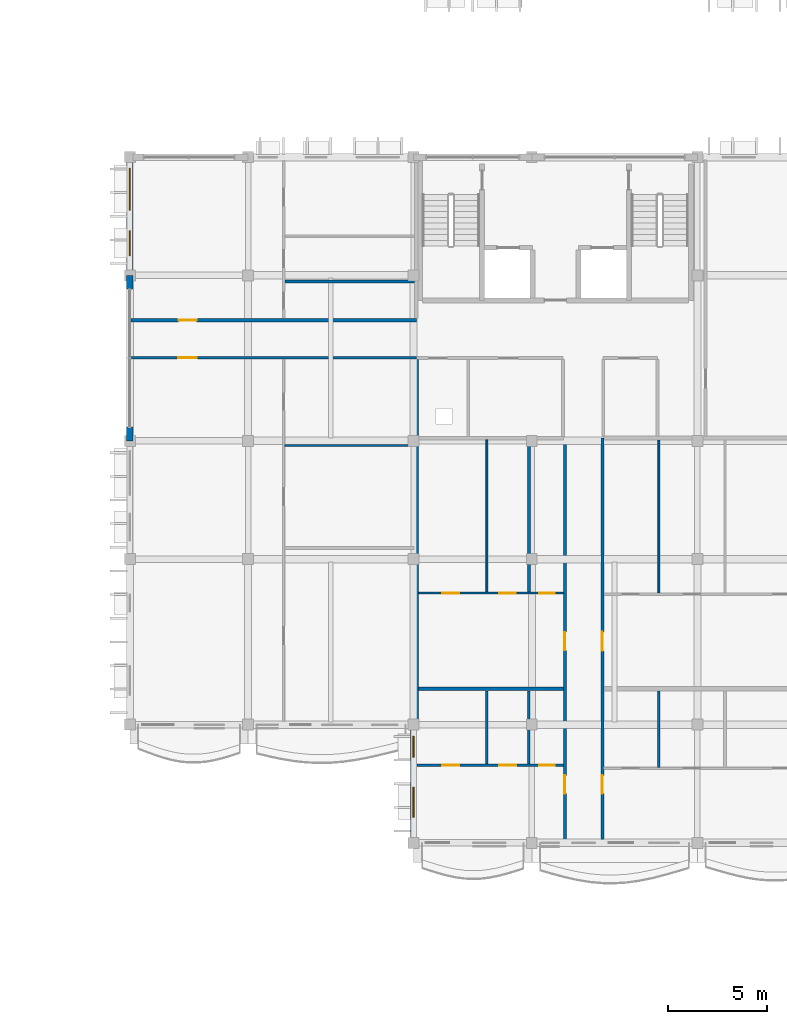
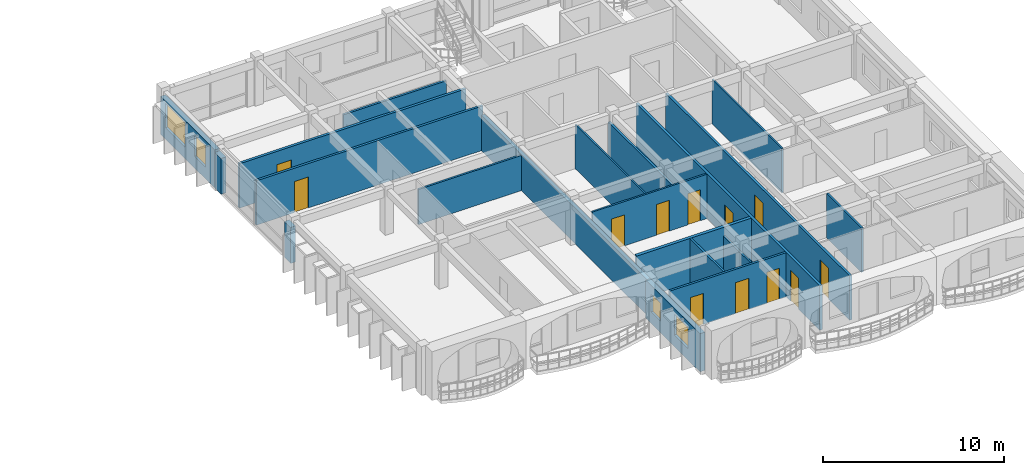
# One storey, part 42 of 79: 20 walls, 12 doors, 4 windows, 16 openings.
"""IFC4 building model written with IfcOpenShell, lengths in metres."""

from ifc_helpers import new_model, si_unit, direction, frame, frame_2d, origin, place, context, subcontext, project, spatial, rectangle, extrude, material, layer, layer_set, type_object, element, fill, save


model = new_model("IFC4")

# Units and contexts
model_context = context("Model", 3, precision=1e-05, world=origin(), true_north=direction((0.0, 1.0)))
body_context = subcontext(model_context, "Body", "Model", "MODEL_VIEW")
ifc_project = project(units=[si_unit("LENGTHUNIT", "METRE"), si_unit("AREAUNIT", "SQUARE_METRE"), si_unit("VOLUMEUNIT", "CUBIC_METRE"), si_unit("PLANEANGLEUNIT", "RADIAN"), si_unit("MASSUNIT", "GRAM", prefix="KILO"), si_unit("THERMODYNAMICTEMPERATUREUNIT", "KELVIN")], contexts=[model_context])

# Site, building, storey
site_placement = place(None, origin())
site = spatial("IfcSite", under=ifc_project, at=site_placement, CompositionType="ELEMENT")
building_placement = place(site_placement, origin())
building = spatial("IfcBuilding", under=site, at=building_placement, Name="Thalorik Housing Commons", CompositionType="ELEMENT")
storey_placement = place(building_placement, frame((0.0, 0.0, 11.39990234375)))
storey = spatial("IfcBuildingStorey", under=building, at=storey_placement, Name="L03", CompositionType="ELEMENT", Elevation=11.39990234375)

# Wall, openings, doors
ifc_material_1 = material(Name="Masonry fire-rated corridor wall", Category="masonry")
ifc_layer_1 = layer(ifc_material_1, 0.14990234375, Name="Masonry fire-rated corridor wall", Category="masonry")
ifc_layer_set_1 = layer_set([ifc_layer_1], Name="Masonry fire-rated corridor wall")
wall_type_1 = type_object("IfcWallType", Name="ARC-WAL-CORR-150", PredefinedType="PARTITIONING", material=ifc_layer_set_1)
wall_1_placement = place(storey_placement, frame((161.97998046875, 37.362060546875, 0.0), z_axis=(0.0, 0.0, 1.0), x_axis=(0.0, 1.0, 0.0)))
wall_1 = element("IfcWall", 1, at=wall_1_placement, inside=storey, type_object=wall_type_1, Name="L03 Block D E Corridor Wall 2", PredefinedType="PARTITIONING", context=body_context, shape_type="SweptSolid", body=[
    extrude(rectangle(XDim=20.3779296875, YDim=0.14990234375, at=frame_2d((10.18896484375, 0.0))), origin(), (0.0, 0.0, 1.0), 3.0),
])
opening_1_placement = place(wall_1_placement, frame((2.342041015625, 0.0, 0.0)))
opening_1 = element("IfcOpeningElement", 2, at=opening_1_placement, cuts=wall_1, Name="Opening ID-2039", PredefinedType="OPENING", context=body_context, shape_type="SweptSolid", body=[
    extrude(rectangle(XDim=0.919921875, YDim=2.10009765625, at=frame_2d((0.4599609375, 1.050048828125))), frame((0.0, 0.0849609375, 0.0), z_axis=(0.0, -1.0, 0.0), x_axis=(1.0, 0.0, 0.0)), (0.0, 0.0, 1.0), 0.169921875),
])
opening_2_placement = place(wall_1_placement, frame((9.580810546875, 0.0, 0.0)))
opening_2 = element("IfcOpeningElement", 3, at=opening_2_placement, cuts=wall_1, Name="Opening ID-2040", PredefinedType="OPENING", context=body_context, shape_type="SweptSolid", body=[
    extrude(rectangle(XDim=0.9599609375, YDim=2.1201171875, at=frame_2d((0.47998046875, 1.06005859375))), frame((0.0, 0.0849609375, 0.0), z_axis=(0.0, -1.0, 0.0), x_axis=(1.0, 0.0, 0.0)), (0.0, 0.0, 1.0), 0.169921875),
])
ifc_material_2 = material(Name="Solid core hardwood timber", Category="wood")
door_type_1 = type_object("IfcDoorType", Name="ARC-DR-FD30-920", OperationType="NOTDEFINED", PredefinedType="DOOR", material=ifc_material_2)
door_1_placement = place(opening_1_placement, origin())
door_1 = element("IfcDoor", 4, at=door_1_placement, inside=storey, type_object=door_type_1, Name="L03 Flat DE-1B Entrance Door", OperationType="SINGLE_SWING_RIGHT", OverallHeight=2.10009765625, OverallWidth=0.919921875, PredefinedType="DOOR", context=body_context, shape_type="SweptSolid", body=[
    extrude(rectangle(XDim=0.919921875, YDim=2.10009765625, at=frame_2d((0.4599609375, 1.050048828125))), frame((0.0, 0.02490234375, 0.0), z_axis=(0.0, -1.0, 0.0), x_axis=(1.0, 0.0, 0.0)), (0.0, 0.0, 1.0), 0.050048828125),
])
fill(opening_1, door_1)
door_type_2 = type_object("IfcDoorType", Name="ARC-DR-FD30-960", OperationType="NOTDEFINED", PredefinedType="DOOR", material=ifc_material_2)
door_2_placement = place(opening_2_placement, origin())
door_2 = element("IfcDoor", 5, at=door_2_placement, inside=storey, type_object=door_type_2, Name="L03 Flat DE-2B Entrance Door", OperationType="SINGLE_SWING_LEFT", OverallHeight=2.1201171875, OverallWidth=0.9599609375, PredefinedType="DOOR", context=body_context, shape_type="SweptSolid", body=[
    extrude(rectangle(XDim=0.9599609375, YDim=2.1201171875, at=frame_2d((0.47998046875, 1.06005859375))), frame((0.0, 0.02490234375, 0.0), z_axis=(0.0, -1.0, 0.0), x_axis=(1.0, 0.0, 0.0)), (0.0, 0.0, 1.0), 0.050048828125),
])
fill(opening_2, door_2)

# Wall, opening, door
wall_2_placement = place(storey_placement, frame((138.06005859375, 61.820068359375, 0.0), z_axis=(0.0, 0.0, 1.0), x_axis=(1.0, 0.0, 0.0)))
wall_2 = element("IfcWall", 6, at=wall_2_placement, inside=storey, type_object=wall_type_1, Name="L03 Block D R Corridor Wall 1", PredefinedType="PARTITIONING", context=body_context, shape_type="SweptSolid", body=[
    extrude(rectangle(XDim=14.47998046875, YDim=0.14990234375, at=frame_2d((7.239990234375, 0.0))), origin(), (0.0, 0.0, 1.0), 3.0),
])
opening_3_placement = place(wall_2_placement, frame((2.40869140625, 0.0, 0.0)))
opening_3 = element("IfcOpeningElement", 7, at=opening_3_placement, cuts=wall_2, Name="Opening ID-2048", PredefinedType="OPENING", context=body_context, shape_type="SweptSolid", body=[
    extrude(rectangle(XDim=0.919921875, YDim=2.10009765625, at=frame_2d((0.4599609375, 1.050048828125))), frame((0.0, 0.0849609375, 0.0), z_axis=(0.0, -1.0, 0.0), x_axis=(1.0, 0.0, 0.0)), (0.0, 0.0, 1.0), 0.169921875),
])
door_3_placement = place(opening_3_placement, origin())
door_3 = element("IfcDoor", 8, at=door_3_placement, inside=storey, type_object=door_type_1, Name="L03 Flat DR-1A Entrance Door", OperationType="SINGLE_SWING_LEFT", OverallHeight=2.10009765625, OverallWidth=0.919921875, PredefinedType="DOOR", context=body_context, shape_type="SweptSolid", body=[
    extrude(rectangle(XDim=0.919921875, YDim=2.10009765625, at=frame_2d((0.4599609375, 1.050048828125))), frame((0.0, 0.02490234375, 0.0), z_axis=(0.0, -1.0, 0.0), x_axis=(1.0, 0.0, 0.0)), (0.0, 0.0, 1.0), 0.050048828125),
])
fill(opening_3, door_3)

# Wall, openings, doors
ifc_layer_2 = layer(ifc_material_1, 0.1650390625, Name="Masonry fire-rated corridor wall", Category="masonry")
ifc_layer_set_2 = layer_set([ifc_layer_2], Name="Masonry fire-rated corridor wall")
wall_type_2 = type_object("IfcWallType", Name="ARC-WAL-CORR-165", PredefinedType="PARTITIONING", material=ifc_layer_set_2)
wall_3_placement = place(storey_placement, frame((160.080078125, 37.362060546875, 0.0), z_axis=(0.0, 0.0, 1.0), x_axis=(0.0, 1.0, 0.0)))
wall_3 = element("IfcWall", 9, at=wall_3_placement, inside=storey, type_object=wall_type_2, Name="L03 Block D E Corridor Wall 1", PredefinedType="PARTITIONING", context=body_context, shape_type="SweptSolid", body=[
    extrude(rectangle(XDim=20.3779296875, YDim=0.1650390625, at=frame_2d((10.18896484375, 0.0))), origin(), (0.0, 0.0, 1.0), 3.0),
])
opening_4_placement = place(wall_3_placement, frame((2.341064453125, 0.0, 0.0)))
opening_4 = element("IfcOpeningElement", 10, at=opening_4_placement, cuts=wall_3, Name="Opening ID-2037", PredefinedType="OPENING", context=body_context, shape_type="SweptSolid", body=[
    extrude(rectangle(XDim=0.919921875, YDim=2.10009765625, at=frame_2d((0.4599609375, 1.050048828125))), frame((0.0, 0.092529296875, 0.0), z_axis=(0.0, -1.0, 0.0), x_axis=(1.0, 0.0, 0.0)), (0.0, 0.0, 1.0), 0.18505859375),
])
opening_5_placement = place(wall_3_placement, frame((9.60791015625, 0.0, 0.0)))
opening_5 = element("IfcOpeningElement", 11, at=opening_5_placement, cuts=wall_3, Name="Opening ID-2038", PredefinedType="OPENING", context=body_context, shape_type="SweptSolid", body=[
    extrude(rectangle(XDim=0.919921875, YDim=2.10009765625, at=frame_2d((0.4599609375, 1.050048828125))), frame((0.0, 0.092529296875, 0.0), z_axis=(0.0, -1.0, 0.0), x_axis=(1.0, 0.0, 0.0)), (0.0, 0.0, 1.0), 0.18505859375),
])
door_4_placement = place(opening_4_placement, origin())
door_4 = element("IfcDoor", 12, at=door_4_placement, inside=storey, type_object=door_type_1, Name="L03 Flat DE-1A Entrance Door", OperationType="SINGLE_SWING_RIGHT", OverallHeight=2.10009765625, OverallWidth=0.919921875, PredefinedType="DOOR", context=body_context, shape_type="SweptSolid", body=[
    extrude(rectangle(XDim=0.919921875, YDim=2.10009765625, at=frame_2d((0.4599609375, 1.050048828125))), frame((0.0, 0.02490234375, 0.0), z_axis=(0.0, -1.0, 0.0), x_axis=(1.0, 0.0, 0.0)), (0.0, 0.0, 1.0), 0.050048828125),
])
fill(opening_4, door_4)
door_5_placement = place(opening_5_placement, origin())
door_5 = element("IfcDoor", 13, at=door_5_placement, inside=storey, type_object=door_type_1, Name="L03 Flat DE-2A Entrance Door", OperationType="SINGLE_SWING_LEFT", OverallHeight=2.10009765625, OverallWidth=0.919921875, PredefinedType="DOOR", context=body_context, shape_type="SweptSolid", body=[
    extrude(rectangle(XDim=0.919921875, YDim=2.10009765625, at=frame_2d((0.4599609375, 1.050048828125))), frame((0.0, 0.02490234375, 0.0), z_axis=(0.0, -1.0, 0.0), x_axis=(1.0, 0.0, 0.0)), (0.0, 0.0, 1.0), 0.050048828125),
])
fill(opening_5, door_5)

# Wall, opening, door
wall_4_placement = place(storey_placement, frame((138.06005859375, 63.719970703125, 0.0), z_axis=(0.0, 0.0, 1.0), x_axis=(1.0, 0.0, 0.0)))
wall_4 = element("IfcWall", 14, at=wall_4_placement, inside=storey, type_object=wall_type_2, Name="L03 Block D R Corridor Wall 2", PredefinedType="PARTITIONING", context=body_context, shape_type="SweptSolid", body=[
    extrude(rectangle(XDim=14.47998046875, YDim=0.1650390625, at=frame_2d((7.239990234375, 0.0))), origin(), (0.0, 0.0, 1.0), 3.0),
])
opening_6_placement = place(wall_4_placement, frame((2.412353515625, 0.0, 0.0)))
opening_6 = element("IfcOpeningElement", 15, at=opening_6_placement, cuts=wall_4, Name="Opening ID-2049", PredefinedType="OPENING", context=body_context, shape_type="SweptSolid", body=[
    extrude(rectangle(XDim=0.919921875, YDim=2.10009765625, at=frame_2d((0.4599609375, 1.050048828125))), frame((0.0, 0.092529296875, 0.0), z_axis=(0.0, -1.0, 0.0), x_axis=(1.0, 0.0, 0.0)), (0.0, 0.0, 1.0), 0.18505859375),
])
door_6_placement = place(opening_6_placement, origin())
door_6 = element("IfcDoor", 16, at=door_6_placement, inside=storey, type_object=door_type_1, Name="L03 Flat DR-1B Entrance Door", OperationType="SINGLE_SWING_RIGHT", OverallHeight=2.10009765625, OverallWidth=0.919921875, PredefinedType="DOOR", context=body_context, shape_type="SweptSolid", body=[
    extrude(rectangle(XDim=0.919921875, YDim=2.10009765625, at=frame_2d((0.4599609375, 1.050048828125))), frame((0.0, 0.02490234375, 0.0), z_axis=(0.0, -1.0, 0.0), x_axis=(1.0, 0.0, 0.0)), (0.0, 0.0, 1.0), 0.050048828125),
])
fill(opening_6, door_6)

# Wall, openings, windows
ifc_material_3 = material(Name="White precast concrete C40/50", Category="concrete")
ifc_layer_3 = layer(ifc_material_3, 0.320068359375, Name="White precast concrete C40/50", Category="concrete")
ifc_layer_set_3 = layer_set([ifc_layer_3], Name="White precast concrete C40/50")
wall_type_3 = type_object("IfcWallType", Name="ARC-WAL-EXT-320", PredefinedType="STANDARD", material=ifc_layer_set_3)
wall_5_placement = place(storey_placement, frame((138.0, 72.0, 0.0), z_axis=(0.0, 0.0, 1.0), x_axis=(0.0, -1.0, 0.0)))
wall_5 = element("IfcWall", 17, at=wall_5_placement, inside=storey, type_object=wall_type_3, Name="L03 Exterior Wall WAL-EXT-L03-D-1167", PredefinedType="STANDARD", context=body_context, shape_type="SweptSolid", body=[
    extrude(rectangle(XDim=6.0, YDim=0.320068359375, at=frame_2d((3.0, 0.0))), origin(), (0.0, 0.0, 1.0), 2.5751953125),
])
opening_7_placement = place(wall_5_placement, frame((0.554931640625, 0.0, 0.780029296875)))
opening_7 = element("IfcOpeningElement", 18, at=opening_7_placement, cuts=wall_5, Name="Opening W-28", PredefinedType="OPENING", context=body_context, shape_type="SweptSolid", body=[
    extrude(rectangle(XDim=2.14990234375, YDim=1.64990234375, at=frame_2d((1.074951171875, 0.824951171875))), frame((0.0, 0.169921875, 0.0), z_axis=(0.0, -1.0, 0.0), x_axis=(1.0, 0.0, 0.0)), (0.0, 0.0, 1.0), 0.340087890625),
])
opening_8_placement = place(wall_5_placement, frame((3.7451171875, 0.0, 0.780029296875)))
opening_8 = element("IfcOpeningElement", 19, at=opening_8_placement, cuts=wall_5, Name="Opening W-47", PredefinedType="OPENING", context=body_context, shape_type="SweptSolid", body=[
    extrude(rectangle(XDim=1.25, YDim=1.449951171875, at=frame_2d((0.625, 0.72509765625))), frame((0.0, 0.169921875, 0.0), z_axis=(0.0, -1.0, 0.0), x_axis=(1.0, 0.0, 0.0)), (0.0, 0.0, 1.0), 0.340087890625),
])
ifc_material_4 = material(Name="Anodised aluminium and solar-control low-E glass", Category="aluminium")
window_type_1 = type_object("IfcWindowType", Name="ARC-WIN-28", PartitioningType="DOUBLE_PANEL_VERTICAL", PredefinedType="WINDOW", material=ifc_material_4)
window_1_placement = place(opening_7_placement, origin())
window_1 = element("IfcWindow", 20, at=window_1_placement, inside=storey, type_object=window_type_1, Name="L03 Facade Window 2136", OverallHeight=1.64990234375, OverallWidth=2.14990234375, PartitioningType="DOUBLE_PANEL_VERTICAL", PredefinedType="WINDOW", context=body_context, shape_type="SweptSolid", body=[
    extrude(rectangle(XDim=2.14990234375, YDim=1.64990234375, at=frame_2d((1.074951171875, 0.824951171875))), frame((0.0, 0.030029296875, 0.0), z_axis=(0.0, -1.0, 0.0), x_axis=(1.0, 0.0, 0.0)), (0.0, 0.0, 1.0), 0.06005859375),
])
fill(opening_7, window_1)
window_type_2 = type_object("IfcWindowType", Name="ARC-WIN-47", PartitioningType="SINGLE_PANEL", PredefinedType="WINDOW", material=ifc_material_4)
window_2_placement = place(opening_8_placement, origin())
window_2 = element("IfcWindow", 21, at=window_2_placement, inside=storey, type_object=window_type_2, Name="L03 Facade Window 2137", OverallHeight=1.449951171875, OverallWidth=1.25, PartitioningType="SINGLE_PANEL", PredefinedType="WINDOW", context=body_context, shape_type="SweptSolid", body=[
    extrude(rectangle(XDim=1.25, YDim=1.449951171875, at=frame_2d((0.625, 0.72509765625))), frame((0.0, 0.030029296875, 0.0), z_axis=(0.0, -1.0, 0.0), x_axis=(1.0, 0.0, 0.0)), (0.0, 0.0, 1.0), 0.06005859375),
])
fill(opening_8, window_2)

# Walls
for number, where, z_axis, x_axis, name in (
    (22, (138.0, 66.0, 0.0), (0.0, 0.0, 1.0), (0.0, -1.0, 0.0), "L03 Exterior Wall WAL-PIERL-L03-D-1168"),
    (23, (138.0, 58.300048828125, 0.0), (0.0, 0.0, 1.0), (0.0, -1.0, 0.0), "L03 Exterior Wall WAL-PIERR-L03-D-1168"),
):
    element("IfcWall", number, at=place(storey_placement, frame(where, z_axis=z_axis, x_axis=x_axis)), inside=storey, type_object=wall_type_3, Name=name, PredefinedType="STANDARD", context=body_context, shape_type="SweptSolid", body=[
        extrude(rectangle(XDim=0.699951171875, YDim=0.320068359375, at=frame_2d((0.35009765625, 0.0))), origin(), (0.0, 0.0, 1.0), 2.425048828125),
    ])

# Wall, openings, windows
wall_6_placement = place(storey_placement, frame((152.39990234375, 43.199951171875, 0.0), z_axis=(0.0, 0.0, 1.0), x_axis=(0.0, -1.0, 0.0)))
wall_6 = element("IfcWall", 24, at=wall_6_placement, inside=storey, type_object=wall_type_3, Name="L03 Exterior Wall WAL-EXT-L03-D-1173", PredefinedType="STANDARD", context=body_context, shape_type="SweptSolid", body=[
    extrude(rectangle(XDim=6.0, YDim=0.320068359375, at=frame_2d((3.0, 0.0))), origin(), (0.0, 0.0, 1.0), 2.5751953125),
])
opening_9_placement = place(wall_6_placement, frame((0.60009765625, 0.0, 0.780029296875)))
opening_9 = element("IfcOpeningElement", 25, at=opening_9_placement, cuts=wall_6, Name="Opening W-44", PredefinedType="OPENING", context=body_context, shape_type="SweptSolid", body=[
    extrude(rectangle(XDim=1.050048828125, YDim=1.199951171875, at=frame_2d((0.52490234375, 0.60009765625))), frame((0.0, 0.169921875, 0.0), z_axis=(0.0, -1.0, 0.0), x_axis=(1.0, 0.0, 0.0)), (0.0, 0.0, 1.0), 0.340087890625),
])
opening_10_placement = place(wall_6_placement, frame((3.175048828125, 0.0, 0.780029296875)))
opening_10 = element("IfcOpeningElement", 26, at=opening_10_placement, cuts=wall_6, Name="Opening W-52", PredefinedType="OPENING", context=body_context, shape_type="SweptSolid", body=[
    extrude(rectangle(XDim=1.52001953125, YDim=1.419921875, at=frame_2d((0.760009765625, 0.7099609375))), frame((0.0, 0.169921875, 0.0), z_axis=(0.0, -1.0, 0.0), x_axis=(1.0, 0.0, 0.0)), (0.0, 0.0, 1.0), 0.340087890625),
])
window_type_3 = type_object("IfcWindowType", Name="ARC-WIN-44", PartitioningType="SINGLE_PANEL", PredefinedType="WINDOW", material=ifc_material_4)
window_3_placement = place(opening_9_placement, origin())
window_3 = element("IfcWindow", 27, at=window_3_placement, inside=storey, type_object=window_type_3, Name="L03 Facade Window 2146", OverallHeight=1.199951171875, OverallWidth=1.050048828125, PartitioningType="SINGLE_PANEL", PredefinedType="WINDOW", context=body_context, shape_type="SweptSolid", body=[
    extrude(rectangle(XDim=1.050048828125, YDim=1.199951171875, at=frame_2d((0.52490234375, 0.60009765625))), frame((0.0, 0.030029296875, 0.0), z_axis=(0.0, -1.0, 0.0), x_axis=(1.0, 0.0, 0.0)), (0.0, 0.0, 1.0), 0.06005859375),
])
fill(opening_9, window_3)
window_type_4 = type_object("IfcWindowType", Name="ARC-WIN-52", PartitioningType="SINGLE_PANEL", PredefinedType="WINDOW", material=ifc_material_4)
window_4_placement = place(opening_10_placement, origin())
window_4 = element("IfcWindow", 28, at=window_4_placement, inside=storey, type_object=window_type_4, Name="L03 Facade Window 2147", OverallHeight=1.419921875, OverallWidth=1.52001953125, PartitioningType="SINGLE_PANEL", PredefinedType="WINDOW", context=body_context, shape_type="SweptSolid", body=[
    extrude(rectangle(XDim=1.52001953125, YDim=1.419921875, at=frame_2d((0.760009765625, 0.7099609375))), frame((0.0, 0.030029296875, 0.0), z_axis=(0.0, -1.0, 0.0), x_axis=(1.0, 0.0, 0.0)), (0.0, 0.0, 1.0), 0.06005859375),
])
fill(opening_10, window_4)

# Walls
ifc_material_5 = material(Name="Gypsum light stud partition", Category="masonry")
ifc_layer_4 = layer(ifc_material_5, 0.10009765625, Name="Gypsum light stud partition", Category="masonry")
ifc_layer_set_4 = layer_set([ifc_layer_4], Name="Gypsum light stud partition")
wall_type_4 = type_object("IfcWallType", Name="ARC-WAL-PART-100", PredefinedType="PARTITIONING", material=ifc_layer_set_4)
wall_7_placement = place(storey_placement, frame((156.11767578125, 49.939453125, 0.0), z_axis=(0.0, 0.0, 1.0), x_axis=(0.0, 1.0, 0.0)))
element("IfcWall", 29, at=wall_7_placement, inside=storey, type_object=wall_type_4, Name="L03 Unit 2 Bedroom Partition", PredefinedType="PARTITIONING", context=body_context, shape_type="SweptSolid", body=[
    extrude(rectangle(XDim=7.7060546875, YDim=0.10009765625, at=frame_2d((3.85302734375, 0.0))), origin(), (0.0, 0.0, 1.0), 3.0),
])
wall_8_placement = place(storey_placement, frame((164.850341796875, 49.89013671875, 0.0), z_axis=(0.0, 0.0, 1.0), x_axis=(0.0, 1.0, 0.0)))
element("IfcWall", 30, at=wall_8_placement, inside=storey, type_object=wall_type_4, Name="L03 Unit 2B Wet Wall", PredefinedType="PARTITIONING", context=body_context, shape_type="SweptSolid", body=[
    extrude(rectangle(XDim=7.747802734375, YDim=0.10009765625, at=frame_2d((3.8740234375, 0.0))), origin(), (0.0, 0.0, 1.0), 3.0),
])
ifc_material_6 = material(Name="Gypsum moisture-resistant partition", Category="masonry")
ifc_layer_5 = layer(ifc_material_6, 0.114990234375, Name="Gypsum moisture-resistant partition", Category="masonry")
ifc_layer_set_5 = layer_set([ifc_layer_5], Name="Gypsum moisture-resistant partition")
wall_type_5 = type_object("IfcWallType", Name="ARC-WAL-PART-115", PredefinedType="PARTITIONING", material=ifc_layer_set_5)
wall_9_placement = place(storey_placement, frame((158.251220703125, 41.2119140625, 0.0), z_axis=(0.0, 0.0, 1.0), x_axis=(0.0, 1.0, 0.0)))
element("IfcWall", 31, at=wall_9_placement, inside=storey, type_object=wall_type_5, Name="L03 Unit 1 Wet Wall", PredefinedType="PARTITIONING", context=body_context, shape_type="SweptSolid", body=[
    extrude(rectangle(XDim=3.7060546875, YDim=0.114990234375, at=frame_2d((1.85302734375, 0.0))), origin(), (0.0, 0.0, 1.0), 2.425048828125),
])

# Wall, openings, doors
wall_10_placement = place(storey_placement, frame((152.652099609375, 49.8798828125, 0.0), z_axis=(0.0, 0.0, 1.0), x_axis=(1.0, 0.0, 0.0)))
wall_10 = element("IfcWall", 32, at=wall_10_placement, inside=storey, type_object=wall_type_5, Name="L03 Unit 2 Spine Partition", PredefinedType="PARTITIONING", context=body_context, shape_type="SweptSolid", body=[
    extrude(rectangle(XDim=7.343505859375, YDim=0.114990234375, at=frame_2d((3.671875, 0.0))), origin(), (0.0, 0.0, 1.0), 3.0),
])
opening_11_placement = place(wall_10_placement, frame((1.2119140625, 0.0, 0.0)))
opening_11 = element("IfcOpeningElement", 33, at=opening_11_placement, cuts=wall_10, Name="Opening ID-2031", PredefinedType="OPENING", context=body_context, shape_type="SweptSolid", body=[
    extrude(rectangle(XDim=0.85009765625, YDim=2.10009765625, at=frame_2d((0.425048828125, 1.050048828125))), frame((0.0, 0.0673828125, 0.0), z_axis=(0.0, -1.0, 0.0), x_axis=(1.0, 0.0, 0.0)), (0.0, 0.0, 1.0), 0.135009765625),
])
opening_12_placement = place(wall_10_placement, frame((4.107421875, 0.0, 0.0)))
opening_12 = element("IfcOpeningElement", 34, at=opening_12_placement, cuts=wall_10, Name="Opening ID-2032", PredefinedType="OPENING", context=body_context, shape_type="SweptSolid", body=[
    extrude(rectangle(XDim=0.820068359375, YDim=2.080078125, at=frame_2d((0.41015625, 1.0400390625))), frame((0.0, 0.0673828125, 0.0), z_axis=(0.0, -1.0, 0.0), x_axis=(1.0, 0.0, 0.0)), (0.0, 0.0, 1.0), 0.135009765625),
])
opening_13_placement = place(wall_10_placement, frame((6.113525390625, 0.0, 0.0)))
opening_13 = element("IfcOpeningElement", 35, at=opening_13_placement, cuts=wall_10, Name="Opening ID-2033", PredefinedType="OPENING", context=body_context, shape_type="SweptSolid", body=[
    extrude(rectangle(XDim=0.800048828125, YDim=2.10009765625, at=frame_2d((0.39990234375, 1.050048828125))), frame((0.0, 0.0673828125, 0.0), z_axis=(0.0, -1.0, 0.0), x_axis=(1.0, 0.0, 0.0)), (0.0, 0.0, 1.0), 0.135009765625),
])
ifc_material_7 = material(Name="Moisture-resistant timber", Category="wood")
door_type_3 = type_object("IfcDoorType", Name="ARC-DR-INT-800", OperationType="NOTDEFINED", PredefinedType="DOOR", material=ifc_material_7)
door_7_placement = place(opening_13_placement, origin())
door_7 = element("IfcDoor", 36, at=door_7_placement, inside=storey, type_object=door_type_3, Name="L03 Flat Bathroom Door", OperationType="SINGLE_SWING_RIGHT", OverallHeight=2.10009765625, OverallWidth=0.800048828125, PredefinedType="DOOR", context=body_context, shape_type="SweptSolid", body=[
    extrude(rectangle(XDim=0.800048828125, YDim=2.10009765625, at=frame_2d((0.39990234375, 1.050048828125))), frame((0.0, 0.02490234375, 0.0), z_axis=(0.0, -1.0, 0.0), x_axis=(1.0, 0.0, 0.0)), (0.0, 0.0, 1.0), 0.050048828125),
])
fill(opening_13, door_7)
ifc_material_8 = material(Name="Engineered oak timber", Category="wood")
door_type_4 = type_object("IfcDoorType", Name="ARC-DR-INT-820", OperationType="NOTDEFINED", PredefinedType="DOOR", material=ifc_material_8)
door_8_placement = place(opening_12_placement, origin())
door_8 = element("IfcDoor", 37, at=door_8_placement, inside=storey, type_object=door_type_4, Name="L03 Galley Kitchen Door", OperationType="SINGLE_SWING_LEFT", OverallHeight=2.080078125, OverallWidth=0.820068359375, PredefinedType="DOOR", context=body_context, shape_type="SweptSolid", body=[
    extrude(rectangle(XDim=0.820068359375, YDim=2.080078125, at=frame_2d((0.41015625, 1.0400390625))), frame((0.0, 0.02490234375, 0.0), z_axis=(0.0, -1.0, 0.0), x_axis=(1.0, 0.0, 0.0)), (0.0, 0.0, 1.0), 0.050048828125),
])
fill(opening_12, door_8)
door_type_5 = type_object("IfcDoorType", Name="ARC-DR-INT-850", OperationType="NOTDEFINED", PredefinedType="DOOR", material=ifc_material_8)
door_9_placement = place(opening_11_placement, origin())
door_9 = element("IfcDoor", 38, at=door_9_placement, inside=storey, type_object=door_type_5, Name="L03 Double Bedroom Door", OperationType="SINGLE_SWING_RIGHT", OverallHeight=2.10009765625, OverallWidth=0.85009765625, PredefinedType="DOOR", context=body_context, shape_type="SweptSolid", body=[
    extrude(rectangle(XDim=0.85009765625, YDim=2.10009765625, at=frame_2d((0.425048828125, 1.050048828125))), frame((0.0, 0.02490234375, 0.0), z_axis=(0.0, -1.0, 0.0), x_axis=(1.0, 0.0, 0.0)), (0.0, 0.0, 1.0), 0.050048828125),
])
fill(opening_11, door_9)

# Walls
ifc_material_9 = material(Name="Gypsum acoustic stud partition", Category="masonry")
ifc_layer_6 = layer(ifc_material_9, 0.125, Name="Gypsum acoustic stud partition", Category="masonry")
ifc_layer_set_6 = layer_set([ifc_layer_6], Name="Gypsum acoustic stud partition")
wall_type_6 = type_object("IfcWallType", Name="ARC-WAL-PART-125", PredefinedType="PARTITIONING", material=ifc_layer_set_6)
wall_11_placement = place(storey_placement, frame((156.11767578125, 41.2119140625, 0.0), z_axis=(0.0, 0.0, 1.0), x_axis=(0.0, 1.0, 0.0)))
element("IfcWall", 39, at=wall_11_placement, inside=storey, type_object=wall_type_6, Name="L03 Unit 1 Bedroom Partition", PredefinedType="PARTITIONING", context=body_context, shape_type="SweptSolid", body=[
    extrude(rectangle(XDim=3.7060546875, YDim=0.125, at=frame_2d((1.85302734375, 0.0))), origin(), (0.0, 0.0, 1.0), 3.0),
])
wall_12_placement = place(storey_placement, frame((164.850341796875, 41.036865234375, 0.0), z_axis=(0.0, 0.0, 1.0), x_axis=(0.0, 1.0, 0.0)))
element("IfcWall", 40, at=wall_12_placement, inside=storey, type_object=wall_type_6, Name="L03 Unit 1B Wet Wall", PredefinedType="PARTITIONING", context=body_context, shape_type="SweptSolid", body=[
    extrude(rectangle(XDim=3.87109375, YDim=0.125, at=frame_2d((1.935546875, 0.0))), origin(), (0.0, 0.0, 1.0), 3.0),
])
wall_13_placement = place(storey_placement, frame((145.85205078125, 57.365478515625, 0.0), z_axis=(0.0, 0.0, 1.0), x_axis=(1.0, 0.0, 0.0)))
element("IfcWall", 41, at=wall_13_placement, inside=storey, type_object=wall_type_6, Name="L03 Unit 1 Wet Wall", PredefinedType="PARTITIONING", context=body_context, shape_type="SweptSolid", body=[
    extrude(rectangle(XDim=6.575927734375, YDim=0.125, at=frame_2d((3.2880859375, 0.0))), origin(), (0.0, 0.0, 1.0), 2.375),
])

# Wall, openings, doors
ifc_material_10 = material(Name="Ceramic masonry partition wall", Category="masonry")
ifc_layer_7 = layer(ifc_material_10, 0.139892578125, Name="Ceramic masonry partition wall", Category="masonry")
ifc_layer_set_7 = layer_set([ifc_layer_7], Name="Ceramic masonry partition wall")
wall_type_7 = type_object("IfcWallType", Name="ARC-WAL-PART-140", PredefinedType="PARTITIONING", material=ifc_layer_set_7)
wall_14_placement = place(storey_placement, frame((152.56201171875, 41.139892578125, 0.0), z_axis=(0.0, 0.0, 1.0), x_axis=(1.0, 0.0, 0.0)))
wall_14 = element("IfcWall", 42, at=wall_14_placement, inside=storey, type_object=wall_type_7, Name="L03 Unit 1 Spine Partition", PredefinedType="PARTITIONING", context=body_context, shape_type="SweptSolid", body=[
    extrude(rectangle(XDim=7.43359375, YDim=0.139892578125, at=frame_2d((3.716796875, 0.0))), origin(), (0.0, 0.0, 1.0), 3.0),
])
opening_14_placement = place(wall_14_placement, frame((1.3017578125, 0.0, 0.0)))
opening_14 = element("IfcOpeningElement", 43, at=opening_14_placement, cuts=wall_14, Name="Opening ID-2025", PredefinedType="OPENING", context=body_context, shape_type="SweptSolid", body=[
    extrude(rectangle(XDim=0.85009765625, YDim=2.10009765625, at=frame_2d((0.425048828125, 1.050048828125))), frame((0.0, 0.080078125, 0.0), z_axis=(0.0, -1.0, 0.0), x_axis=(1.0, 0.0, 0.0)), (0.0, 0.0, 1.0), 0.159912109375),
])
opening_15_placement = place(wall_14_placement, frame((4.197509765625, 0.0, 0.0)))
opening_15 = element("IfcOpeningElement", 44, at=opening_15_placement, cuts=wall_14, Name="Opening ID-2026", PredefinedType="OPENING", context=body_context, shape_type="SweptSolid", body=[
    extrude(rectangle(XDim=0.85009765625, YDim=2.10009765625, at=frame_2d((0.425048828125, 1.050048828125))), frame((0.0, 0.080078125, 0.0), z_axis=(0.0, -1.0, 0.0), x_axis=(1.0, 0.0, 0.0)), (0.0, 0.0, 1.0), 0.159912109375),
])
opening_16_placement = place(wall_14_placement, frame((6.20361328125, 0.0, 0.0)))
opening_16 = element("IfcOpeningElement", 45, at=opening_16_placement, cuts=wall_14, Name="Opening ID-2027", PredefinedType="OPENING", context=body_context, shape_type="SweptSolid", body=[
    extrude(rectangle(XDim=0.800048828125, YDim=2.10009765625, at=frame_2d((0.39990234375, 1.050048828125))), frame((0.0, 0.080078125, 0.0), z_axis=(0.0, -1.0, 0.0), x_axis=(1.0, 0.0, 0.0)), (0.0, 0.0, 1.0), 0.159912109375),
])
door_10_placement = place(opening_16_placement, origin())
door_10 = element("IfcDoor", 46, at=door_10_placement, inside=storey, type_object=door_type_3, Name="L03 Flat Bathroom Door", OperationType="SINGLE_SWING_RIGHT", OverallHeight=2.10009765625, OverallWidth=0.800048828125, PredefinedType="DOOR", context=body_context, shape_type="SweptSolid", body=[
    extrude(rectangle(XDim=0.800048828125, YDim=2.10009765625, at=frame_2d((0.39990234375, 1.050048828125))), frame((0.0, 0.02490234375, 0.0), z_axis=(0.0, -1.0, 0.0), x_axis=(1.0, 0.0, 0.0)), (0.0, 0.0, 1.0), 0.050048828125),
])
fill(opening_16, door_10)
door_11_placement = place(opening_14_placement, origin())
door_11 = element("IfcDoor", 47, at=door_11_placement, inside=storey, type_object=door_type_5, Name="L03 Master Bedroom Door", OperationType="SINGLE_SWING_RIGHT", OverallHeight=2.10009765625, OverallWidth=0.85009765625, PredefinedType="DOOR", context=body_context, shape_type="SweptSolid", body=[
    extrude(rectangle(XDim=0.85009765625, YDim=2.10009765625, at=frame_2d((0.425048828125, 1.050048828125))), frame((0.0, 0.02490234375, 0.0), z_axis=(0.0, -1.0, 0.0), x_axis=(1.0, 0.0, 0.0)), (0.0, 0.0, 1.0), 0.050048828125),
])
fill(opening_14, door_11)
door_12_placement = place(opening_15_placement, origin())
door_12 = element("IfcDoor", 48, at=door_12_placement, inside=storey, type_object=door_type_5, Name="L03 Eat-In Kitchen Door", OperationType="SINGLE_SWING_LEFT", OverallHeight=2.10009765625, OverallWidth=0.85009765625, PredefinedType="DOOR", context=body_context, shape_type="SweptSolid", body=[
    extrude(rectangle(XDim=0.85009765625, YDim=2.10009765625, at=frame_2d((0.425048828125, 1.050048828125))), frame((0.0, 0.02490234375, 0.0), z_axis=(0.0, -1.0, 0.0), x_axis=(1.0, 0.0, 0.0)), (0.0, 0.0, 1.0), 0.050048828125),
])
fill(opening_15, door_12)

# Walls
wall_15_placement = place(storey_placement, frame((158.251220703125, 49.939453125, 0.0), z_axis=(0.0, 0.0, 1.0), x_axis=(0.0, 1.0, 0.0)))
element("IfcWall", 49, at=wall_15_placement, inside=storey, type_object=wall_type_7, Name="L03 Unit 2 Wet Wall", PredefinedType="PARTITIONING", context=body_context, shape_type="SweptSolid", body=[
    extrude(rectangle(XDim=7.7060546875, YDim=0.139892578125, at=frame_2d((3.85302734375, 0.0))), origin(), (0.0, 0.0, 1.0), 2.425048828125),
])
wall_16_placement = place(storey_placement, frame((145.869873046875, 65.69287109375, 0.0), z_axis=(0.0, 0.0, 1.0), x_axis=(1.0, 0.0, 0.0)))
element("IfcWall", 50, at=wall_16_placement, inside=storey, type_object=wall_type_7, Name="L03 Unit 1B Wet Wall", PredefinedType="PARTITIONING", context=body_context, shape_type="SweptSolid", body=[
    extrude(rectangle(XDim=6.57568359375, YDim=0.139892578125, at=frame_2d((3.287841796875, 0.0))), origin(), (0.0, 0.0, 1.0), 2.375),
])
ifc_material_11 = material(Name="Precast concrete C40/50 acoustic wall", Category="concrete")
ifc_layer_8 = layer(ifc_material_11, 0.199951171875, Name="Precast concrete C40/50 acoustic wall", Category="concrete")
ifc_layer_set_8 = layer_set([ifc_layer_8], Name="Precast concrete C40/50 acoustic wall")
wall_type_8 = type_object("IfcWallType", Name="ARC-WAL-PARTY-200", PredefinedType="PARTITIONING", material=ifc_layer_set_8)
wall_17_placement = place(storey_placement, frame((152.652099609375, 45.02001953125, 0.0), z_axis=(0.0, 0.0, 1.0), x_axis=(1.0, 0.0, 0.0)))
element("IfcWall", 51, at=wall_17_placement, inside=storey, type_object=wall_type_8, Name="L03 Inter-Tenancy Wall 1A", PredefinedType="PARTITIONING", context=body_context, shape_type="SweptSolid", body=[
    extrude(rectangle(XDim=7.343505859375, YDim=0.199951171875, at=frame_2d((3.671875, 0.0))), origin(), (0.0, 0.0, 1.0), 3.0),
])
ifc_layer_9 = layer(ifc_material_11, 0.219970703125, Name="Precast concrete C40/50 acoustic wall", Category="concrete")
ifc_layer_set_9 = layer_set([ifc_layer_9], Name="Precast concrete C40/50 acoustic wall")
wall_type_9 = type_object("IfcWallType", Name="ARC-WAL-PARTY-220", PredefinedType="PARTITIONING", material=ifc_layer_set_9)
wall_18_placement = place(storey_placement, frame((152.5400390625, 43.260009765625, 0.0), z_axis=(0.0, 0.0, 1.0), x_axis=(0.0, 1.0, 0.0)))
element("IfcWall", 52, at=wall_18_placement, inside=storey, type_object=wall_type_9, Name="L03 Core End Wall A", PredefinedType="PARTITIONING", context=body_context, shape_type="SweptSolid", body=[
    extrude(rectangle(XDim=18.464111328125, YDim=0.219970703125, at=frame_2d((9.23193359375, 0.0))), origin(), (0.0, 0.0, 1.0), 2.425048828125),
])

save(model, "model.ifc")
